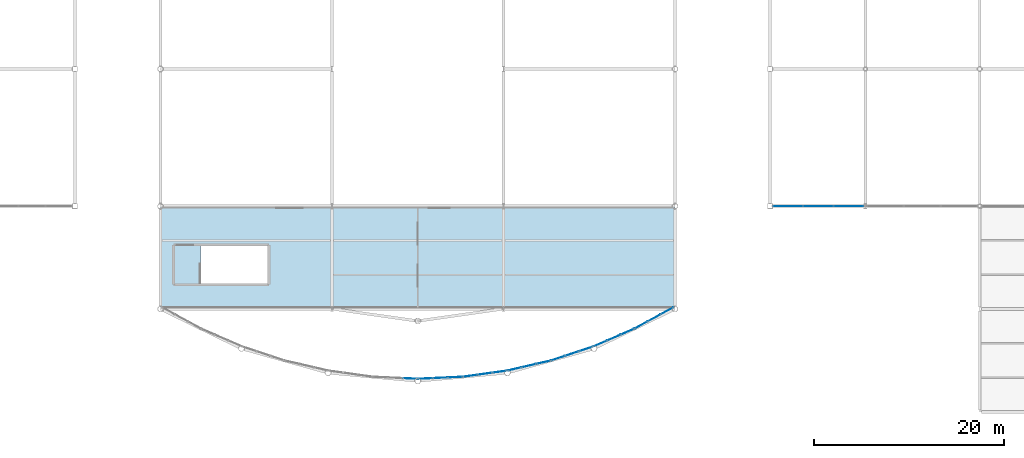
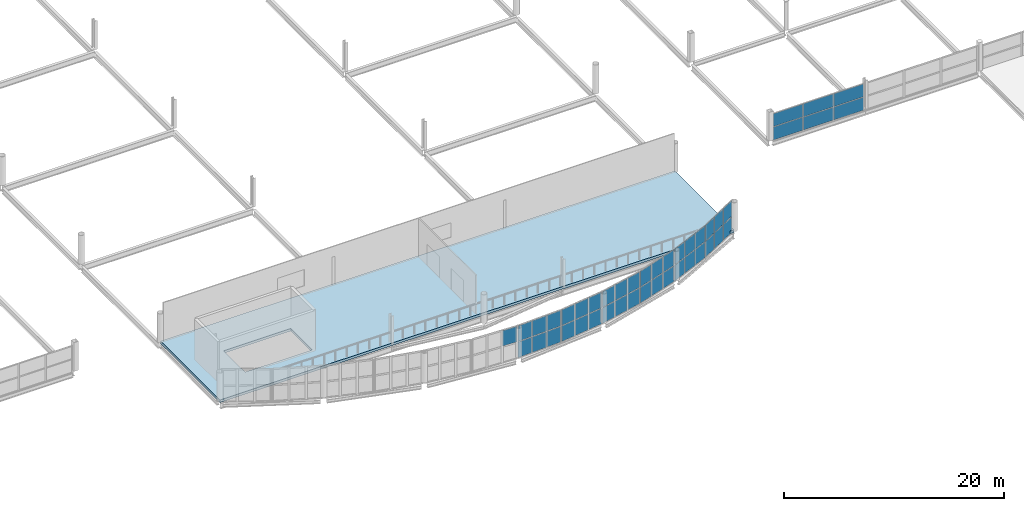
# One storey, part 113 of 134: 43 plates, 1 slab, 8 elements without a shape of their own.
"""IFC4 building model written with IfcOpenShell, lengths in metres."""

from ifc_helpers import new_model, si_unit, direction, frame, origin, origin_2d, place, context, subcontext, project, spatial, polyline, rectangle, outline, extrude, material, layer, layer_set, type_object, element, aggregate, save


model = new_model("IFC4")

# Units and contexts
model_context = context("Model", 3, precision=1e-05, world=origin(), true_north=direction((0.0, 1.0)))
body_context = subcontext(model_context, "Body", "Model", "MODEL_VIEW")
ifc_project = project(units=[si_unit("LENGTHUNIT", "METRE"), si_unit("AREAUNIT", "SQUARE_METRE"), si_unit("VOLUMEUNIT", "CUBIC_METRE"), si_unit("PLANEANGLEUNIT", "RADIAN"), si_unit("MASSUNIT", "GRAM", prefix="KILO")], contexts=[model_context])

# Site, building, storey
site_placement = place(None, origin())
site = spatial("IfcSite", under=ifc_project, at=site_placement, CompositionType="ELEMENT")
building_placement = place(site_placement, origin())
building = spatial("IfcBuilding", under=site, at=building_placement, Name="Tamarisk Ironworks Central Station", CompositionType="ELEMENT")
storey_placement = place(building_placement, frame((0.0, 0.0, 12.60009765625)))
storey = spatial("IfcBuildingStorey", under=building, at=storey_placement, Name="L02", CompositionType="ELEMENT", Elevation=12.60009765625)

# Curtain wall, plate
ifc_material_1 = material(Name="Anodized aluminium alloy 6063-T6", Category="aluminium")
ifc_layer_1 = layer(ifc_material_1, 0.179931640625)
ifc_layer_set_1 = layer_set([ifc_layer_1], Name="Anodized aluminium alloy 6063-T6")
curtain_wall_type_1 = type_object("IfcCurtainWallType", Name="CW-03", PredefinedType="USERDEFINED", material=ifc_layer_set_1)
curtain_wall_1_placement = place(storey_placement, origin())
curtain_wall_1 = element("IfcCurtainWall", 1, at=curtain_wall_1_placement, inside=storey, type_object=curtain_wall_type_1, Name="SN rounded entrance hall L02 curtain wall bay 06", ObjectType="GLAZED CURTAIN WALL", PredefinedType="USERDEFINED")
ifc_material_2 = material(Name="Laminated solar-control low-E glass", Category="glass")
ifc_layer_2 = layer(ifc_material_2, 0.028076171875)
ifc_layer_set_2 = layer_set([ifc_layer_2], Name="Laminated solar-control low-E glass")
plate_type = type_object("IfcPlateType", Name="PL-CWP28", PredefinedType="CURTAIN_PANEL", material=ifc_layer_set_2)
plate_1_placement = place(storey_placement, frame((80.197021484375, 3.49755859375, 1.47900390625), z_axis=(0.0, 0.0, 1.0), x_axis=(0.998965210312, -0.045480859558, 0.0)))
plate_1 = element("IfcPlate", 2, at=plate_1_placement, type_object=plate_type, Name="CW03 panel 3.2", PredefinedType="CURTAIN_PANEL", context=body_context, shape_type="SweptSolid", body=[
    extrude(rectangle(XDim=1.469482421875, YDim=0.028076171875, at=origin_2d()), origin(), (0.0, 0.0, 1.0), 1.73193359375),
])
aggregate(curtain_wall_1, [plate_1])

# Curtain wall, plates
curtain_wall_2_placement = place(storey_placement, origin())
curtain_wall_2 = element("IfcCurtainWall", 3, at=curtain_wall_2_placement, inside=storey, type_object=curtain_wall_type_1, Name="SN rounded entrance hall L02 curtain wall bay 07", ObjectType="GLAZED CURTAIN WALL", PredefinedType="USERDEFINED")
plate_2_placement = place(storey_placement, frame((81.802978515625, 3.49755859375, -0.316162109375), z_axis=(0.0, 0.0, 1.0), x_axis=(0.998965210312, 0.045480859558, 0.0)))
plate_2 = element("IfcPlate", 4, at=plate_2_placement, type_object=plate_type, Name="CW03 panel 1.1", PredefinedType="CURTAIN_PANEL", context=body_context, shape_type="SweptSolid", body=[
    extrude(rectangle(XDim=1.469482421875, YDim=0.028076171875, at=origin_2d()), origin(), (0.0, 0.0, 1.0), 1.73193359375),
])
plate_3_placement = place(storey_placement, frame((81.802978515625, 3.49755859375, 1.47900390625), z_axis=(0.0, 0.0, 1.0), x_axis=(0.998965210312, 0.045480859558, 0.0)))
plate_3 = element("IfcPlate", 5, at=plate_3_placement, type_object=plate_type, Name="CW03 panel 1.2", PredefinedType="CURTAIN_PANEL", context=body_context, shape_type="SweptSolid", body=[
    extrude(rectangle(XDim=1.469482421875, YDim=0.028076171875, at=origin_2d()), origin(), (0.0, 0.0, 1.0), 1.73193359375),
])
plate_4_placement = place(storey_placement, frame((83.352294921875, 3.568115234375, -0.316162109375), z_axis=(0.0, 0.0, 1.0), x_axis=(0.998965210312, 0.045480859558, 0.0)))
plate_4 = element("IfcPlate", 6, at=plate_4_placement, type_object=plate_type, Name="CW03 panel 2.1", PredefinedType="CURTAIN_PANEL", context=body_context, shape_type="SweptSolid", body=[
    extrude(rectangle(XDim=1.5068359375, YDim=0.028076171875, at=origin_2d()), origin(), (0.0, 0.0, 1.0), 1.73193359375),
])
plate_5_placement = place(storey_placement, frame((83.352294921875, 3.568115234375, 1.47900390625), z_axis=(0.0, 0.0, 1.0), x_axis=(0.998965210312, 0.045480859558, 0.0)))
plate_5 = element("IfcPlate", 7, at=plate_5_placement, type_object=plate_type, Name="CW03 panel 2.2", PredefinedType="CURTAIN_PANEL", context=body_context, shape_type="SweptSolid", body=[
    extrude(rectangle(XDim=1.5068359375, YDim=0.028076171875, at=origin_2d()), origin(), (0.0, 0.0, 1.0), 1.73193359375),
])
plate_6_placement = place(storey_placement, frame((84.90185546875, 3.638671875, -0.316162109375), z_axis=(0.0, 0.0, 1.0), x_axis=(0.998965210312, 0.045480859558, 0.0)))
plate_6 = element("IfcPlate", 8, at=plate_6_placement, type_object=plate_type, Name="CW03 panel 3.1", PredefinedType="CURTAIN_PANEL", context=body_context, shape_type="SweptSolid", body=[
    extrude(rectangle(XDim=1.469482421875, YDim=0.028076171875, at=origin_2d()), origin(), (0.0, 0.0, 1.0), 1.73193359375),
])
plate_7_placement = place(storey_placement, frame((84.90185546875, 3.638671875, 1.47900390625), z_axis=(0.0, 0.0, 1.0), x_axis=(0.998965210312, 0.045480859558, 0.0)))
plate_7 = element("IfcPlate", 9, at=plate_7_placement, type_object=plate_type, Name="CW03 panel 3.2", PredefinedType="CURTAIN_PANEL", context=body_context, shape_type="SweptSolid", body=[
    extrude(rectangle(XDim=1.469482421875, YDim=0.028076171875, at=origin_2d()), origin(), (0.0, 0.0, 1.0), 1.73193359375),
])
aggregate(curtain_wall_2, [plate_2, plate_3, plate_4, plate_5, plate_6, plate_7])

curtain_wall_3_placement = place(storey_placement, origin())
curtain_wall_3 = element("IfcCurtainWall", 10, at=curtain_wall_3_placement, inside=storey, type_object=curtain_wall_type_1, Name="SN rounded entrance hall L02 curtain wall bay 08", ObjectType="GLAZED CURTAIN WALL", PredefinedType="USERDEFINED")
plate_8_placement = place(storey_placement, frame((86.5009765625, 3.784423828125, -0.316162109375), z_axis=(0.0, 0.0, 1.0), x_axis=(0.990703108403, 0.136041725218, 0.0)))
plate_8 = element("IfcPlate", 11, at=plate_8_placement, type_object=plate_type, Name="CW03 panel 1.1", PredefinedType="CURTAIN_PANEL", context=body_context, shape_type="SweptSolid", body=[
    extrude(rectangle(XDim=1.469482421875, YDim=0.028076171875, at=origin_2d()), origin(), (0.0, 0.0, 1.0), 1.73193359375),
])
plate_9_placement = place(storey_placement, frame((86.5009765625, 3.784423828125, 1.47900390625), z_axis=(0.0, 0.0, 1.0), x_axis=(0.990703108403, 0.136041725218, 0.0)))
plate_9 = element("IfcPlate", 12, at=plate_9_placement, type_object=plate_type, Name="CW03 panel 1.2", PredefinedType="CURTAIN_PANEL", context=body_context, shape_type="SweptSolid", body=[
    extrude(rectangle(XDim=1.469482421875, YDim=0.028076171875, at=origin_2d()), origin(), (0.0, 0.0, 1.0), 1.73193359375),
])
plate_10_placement = place(storey_placement, frame((88.03759765625, 3.99560546875, -0.316162109375), z_axis=(0.0, 0.0, 1.0), x_axis=(0.990703108403, 0.136041725218, 0.0)))
plate_10 = element("IfcPlate", 13, at=plate_10_placement, type_object=plate_type, Name="CW03 panel 2.1", PredefinedType="CURTAIN_PANEL", context=body_context, shape_type="SweptSolid", body=[
    extrude(rectangle(XDim=1.5068359375, YDim=0.028076171875, at=origin_2d()), origin(), (0.0, 0.0, 1.0), 1.73193359375),
])
plate_11_placement = place(storey_placement, frame((88.03759765625, 3.99560546875, 1.47900390625), z_axis=(0.0, 0.0, 1.0), x_axis=(0.990703108403, 0.136041725218, 0.0)))
plate_11 = element("IfcPlate", 14, at=plate_11_placement, type_object=plate_type, Name="CW03 panel 2.2", PredefinedType="CURTAIN_PANEL", context=body_context, shape_type="SweptSolid", body=[
    extrude(rectangle(XDim=1.5068359375, YDim=0.028076171875, at=origin_2d()), origin(), (0.0, 0.0, 1.0), 1.73193359375),
])
plate_12_placement = place(storey_placement, frame((89.574462890625, 4.20654296875, -0.316162109375), z_axis=(0.0, 0.0, 1.0), x_axis=(0.990703108403, 0.136041725218, 0.0)))
plate_12 = element("IfcPlate", 15, at=plate_12_placement, type_object=plate_type, Name="CW03 panel 3.1", PredefinedType="CURTAIN_PANEL", context=body_context, shape_type="SweptSolid", body=[
    extrude(rectangle(XDim=1.469482421875, YDim=0.028076171875, at=origin_2d()), origin(), (0.0, 0.0, 1.0), 1.73193359375),
])
plate_13_placement = place(storey_placement, frame((89.574462890625, 4.20654296875, 1.47900390625), z_axis=(0.0, 0.0, 1.0), x_axis=(0.990703108403, 0.136041725218, 0.0)))
plate_13 = element("IfcPlate", 16, at=plate_13_placement, type_object=plate_type, Name="CW03 panel 3.2", PredefinedType="CURTAIN_PANEL", context=body_context, shape_type="SweptSolid", body=[
    extrude(rectangle(XDim=1.469482421875, YDim=0.028076171875, at=origin_2d()), origin(), (0.0, 0.0, 1.0), 1.73193359375),
])
aggregate(curtain_wall_3, [plate_8, plate_9, plate_10, plate_11, plate_12, plate_13])

curtain_wall_4_placement = place(storey_placement, origin())
curtain_wall_4 = element("IfcCurtainWall", 17, at=curtain_wall_4_placement, inside=storey, type_object=curtain_wall_type_1, Name="SN rounded entrance hall L02 curtain wall bay 09", ObjectType="GLAZED CURTAIN WALL", PredefinedType="USERDEFINED")
plate_14_placement = place(storey_placement, frame((91.153564453125, 4.4970703125, -0.316162109375), z_axis=(0.0, 0.0, 1.0), x_axis=(0.974239240545, 0.225516966506, 0.0)))
plate_14 = element("IfcPlate", 18, at=plate_14_placement, type_object=plate_type, Name="CW03 panel 1.1", PredefinedType="CURTAIN_PANEL", context=body_context, shape_type="SweptSolid", body=[
    extrude(rectangle(XDim=1.469482421875, YDim=0.028076171875, at=origin_2d()), origin(), (0.0, 0.0, 1.0), 1.73193359375),
])
plate_15_placement = place(storey_placement, frame((91.153564453125, 4.4970703125, 1.47900390625), z_axis=(0.0, 0.0, 1.0), x_axis=(0.974239240545, 0.225516966506, 0.0)))
plate_15 = element("IfcPlate", 19, at=plate_15_placement, type_object=plate_type, Name="CW03 panel 1.2", PredefinedType="CURTAIN_PANEL", context=body_context, shape_type="SweptSolid", body=[
    extrude(rectangle(XDim=1.469482421875, YDim=0.028076171875, at=origin_2d()), origin(), (0.0, 0.0, 1.0), 1.73193359375),
])
plate_16_placement = place(storey_placement, frame((92.664794921875, 4.846923828125, -0.316162109375), z_axis=(0.0, 0.0, 1.0), x_axis=(0.974239240545, 0.225516966506, 0.0)))
plate_16 = element("IfcPlate", 20, at=plate_16_placement, type_object=plate_type, Name="CW03 panel 2.1", PredefinedType="CURTAIN_PANEL", context=body_context, shape_type="SweptSolid", body=[
    extrude(rectangle(XDim=1.5068359375, YDim=0.028076171875, at=origin_2d()), origin(), (0.0, 0.0, 1.0), 1.73193359375),
])
plate_17_placement = place(storey_placement, frame((92.664794921875, 4.846923828125, 1.47900390625), z_axis=(0.0, 0.0, 1.0), x_axis=(0.974239240545, 0.225516966506, 0.0)))
plate_17 = element("IfcPlate", 21, at=plate_17_placement, type_object=plate_type, Name="CW03 panel 2.2", PredefinedType="CURTAIN_PANEL", context=body_context, shape_type="SweptSolid", body=[
    extrude(rectangle(XDim=1.5068359375, YDim=0.028076171875, at=origin_2d()), origin(), (0.0, 0.0, 1.0), 1.73193359375),
])
plate_18_placement = place(storey_placement, frame((94.176025390625, 5.19677734375, -0.316162109375), z_axis=(0.0, 0.0, 1.0), x_axis=(0.974239240545, 0.225516966506, 0.0)))
plate_18 = element("IfcPlate", 22, at=plate_18_placement, type_object=plate_type, Name="CW03 panel 3.1", PredefinedType="CURTAIN_PANEL", context=body_context, shape_type="SweptSolid", body=[
    extrude(rectangle(XDim=1.469482421875, YDim=0.028076171875, at=origin_2d()), origin(), (0.0, 0.0, 1.0), 1.73193359375),
])
plate_19_placement = place(storey_placement, frame((94.176025390625, 5.19677734375, 1.47900390625), z_axis=(0.0, 0.0, 1.0), x_axis=(0.974239240545, 0.225516966506, 0.0)))
plate_19 = element("IfcPlate", 23, at=plate_19_placement, type_object=plate_type, Name="CW03 panel 3.2", PredefinedType="CURTAIN_PANEL", context=body_context, shape_type="SweptSolid", body=[
    extrude(rectangle(XDim=1.469482421875, YDim=0.028076171875, at=origin_2d()), origin(), (0.0, 0.0, 1.0), 1.73193359375),
])
aggregate(curtain_wall_4, [plate_14, plate_15, plate_16, plate_17, plate_18, plate_19])

curtain_wall_5_placement = place(storey_placement, origin())
curtain_wall_5 = element("IfcCurtainWall", 24, at=curtain_wall_5_placement, inside=storey, type_object=curtain_wall_type_1, Name="SN rounded entrance hall L02 curtain wall bay 10", ObjectType="GLAZED CURTAIN WALL", PredefinedType="USERDEFINED")
plate_20_placement = place(storey_placement, frame((95.72216796875, 5.629638671875, -0.316162109375), z_axis=(0.0, 0.0, 1.0), x_axis=(0.949720671692, 0.313098460171, 0.0)))
plate_20 = element("IfcPlate", 25, at=plate_20_placement, type_object=plate_type, Name="CW03 panel 1.1", PredefinedType="CURTAIN_PANEL", context=body_context, shape_type="SweptSolid", body=[
    extrude(rectangle(XDim=1.469482421875, YDim=0.028076171875, at=origin_2d()), origin(), (0.0, 0.0, 1.0), 1.73193359375),
])
plate_21_placement = place(storey_placement, frame((95.72216796875, 5.629638671875, 1.47900390625), z_axis=(0.0, 0.0, 1.0), x_axis=(0.949720671692, 0.313098460171, 0.0)))
plate_21 = element("IfcPlate", 26, at=plate_21_placement, type_object=plate_type, Name="CW03 panel 1.2", PredefinedType="CURTAIN_PANEL", context=body_context, shape_type="SweptSolid", body=[
    extrude(rectangle(XDim=1.469482421875, YDim=0.028076171875, at=origin_2d()), origin(), (0.0, 0.0, 1.0), 1.73193359375),
])
plate_22_placement = place(storey_placement, frame((97.1953125, 6.115234375, -0.316162109375), z_axis=(0.0, 0.0, 1.0), x_axis=(0.949720671692, 0.313098460171, 0.0)))
plate_22 = element("IfcPlate", 27, at=plate_22_placement, type_object=plate_type, Name="CW03 panel 2.1", PredefinedType="CURTAIN_PANEL", context=body_context, shape_type="SweptSolid", body=[
    extrude(rectangle(XDim=1.5068359375, YDim=0.028076171875, at=origin_2d()), origin(), (0.0, 0.0, 1.0), 1.73193359375),
])
plate_23_placement = place(storey_placement, frame((97.1953125, 6.115234375, 1.47900390625), z_axis=(0.0, 0.0, 1.0), x_axis=(0.949720671692, 0.313098460171, 0.0)))
plate_23 = element("IfcPlate", 28, at=plate_23_placement, type_object=plate_type, Name="CW03 panel 2.2", PredefinedType="CURTAIN_PANEL", context=body_context, shape_type="SweptSolid", body=[
    extrude(rectangle(XDim=1.5068359375, YDim=0.028076171875, at=origin_2d()), origin(), (0.0, 0.0, 1.0), 1.73193359375),
])
plate_24_placement = place(storey_placement, frame((98.66845703125, 6.60107421875, -0.316162109375), z_axis=(0.0, 0.0, 1.0), x_axis=(0.949720671692, 0.313098460171, 0.0)))
plate_24 = element("IfcPlate", 29, at=plate_24_placement, type_object=plate_type, Name="CW03 panel 3.1", PredefinedType="CURTAIN_PANEL", context=body_context, shape_type="SweptSolid", body=[
    extrude(rectangle(XDim=1.469482421875, YDim=0.028076171875, at=origin_2d()), origin(), (0.0, 0.0, 1.0), 1.73193359375),
])
plate_25_placement = place(storey_placement, frame((98.66845703125, 6.60107421875, 1.47900390625), z_axis=(0.0, 0.0, 1.0), x_axis=(0.949720671692, 0.313098460171, 0.0)))
plate_25 = element("IfcPlate", 30, at=plate_25_placement, type_object=plate_type, Name="CW03 panel 3.2", PredefinedType="CURTAIN_PANEL", context=body_context, shape_type="SweptSolid", body=[
    extrude(rectangle(XDim=1.469482421875, YDim=0.028076171875, at=origin_2d()), origin(), (0.0, 0.0, 1.0), 1.73193359375),
])
aggregate(curtain_wall_5, [plate_20, plate_21, plate_22, plate_23, plate_24, plate_25])

curtain_wall_6_placement = place(storey_placement, origin())
curtain_wall_6 = element("IfcCurtainWall", 31, at=curtain_wall_6_placement, inside=storey, type_object=curtain_wall_type_1, Name="SN rounded entrance hall L02 curtain wall bay 11", ObjectType="GLAZED CURTAIN WALL", PredefinedType="USERDEFINED")
plate_26_placement = place(storey_placement, frame((100.1689453125, 7.172607421875, -0.316162109375), z_axis=(0.0, 0.0, 1.0), x_axis=(0.917352033503, 0.398076935564, 0.0)))
plate_26 = element("IfcPlate", 32, at=plate_26_placement, type_object=plate_type, Name="CW03 panel 1.1", PredefinedType="CURTAIN_PANEL", context=body_context, shape_type="SweptSolid", body=[
    extrude(rectangle(XDim=1.469482421875, YDim=0.028076171875, at=origin_2d()), origin(), (0.0, 0.0, 1.0), 1.73193359375),
])
plate_27_placement = place(storey_placement, frame((100.1689453125, 7.172607421875, 1.47900390625), z_axis=(0.0, 0.0, 1.0), x_axis=(0.917352033503, 0.398076935564, 0.0)))
plate_27 = element("IfcPlate", 33, at=plate_27_placement, type_object=plate_type, Name="CW03 panel 1.2", PredefinedType="CURTAIN_PANEL", context=body_context, shape_type="SweptSolid", body=[
    extrude(rectangle(XDim=1.469482421875, YDim=0.028076171875, at=origin_2d()), origin(), (0.0, 0.0, 1.0), 1.73193359375),
])
plate_28_placement = place(storey_placement, frame((101.592041015625, 7.7900390625, -0.316162109375), z_axis=(0.0, 0.0, 1.0), x_axis=(0.917352033503, 0.398076935564, 0.0)))
plate_28 = element("IfcPlate", 34, at=plate_28_placement, type_object=plate_type, Name="CW03 panel 2.1", PredefinedType="CURTAIN_PANEL", context=body_context, shape_type="SweptSolid", body=[
    extrude(rectangle(XDim=1.5068359375, YDim=0.028076171875, at=origin_2d()), origin(), (0.0, 0.0, 1.0), 1.73193359375),
])
plate_29_placement = place(storey_placement, frame((101.592041015625, 7.7900390625, 1.47900390625), z_axis=(0.0, 0.0, 1.0), x_axis=(0.917352033503, 0.398076935564, 0.0)))
plate_29 = element("IfcPlate", 35, at=plate_29_placement, type_object=plate_type, Name="CW03 panel 2.2", PredefinedType="CURTAIN_PANEL", context=body_context, shape_type="SweptSolid", body=[
    extrude(rectangle(XDim=1.5068359375, YDim=0.028076171875, at=origin_2d()), origin(), (0.0, 0.0, 1.0), 1.73193359375),
])
plate_30_placement = place(storey_placement, frame((103.014892578125, 8.407470703125, -0.316162109375), z_axis=(0.0, 0.0, 1.0), x_axis=(0.917352033503, 0.398076935564, 0.0)))
plate_30 = element("IfcPlate", 36, at=plate_30_placement, type_object=plate_type, Name="CW03 panel 3.1", PredefinedType="CURTAIN_PANEL", context=body_context, shape_type="SweptSolid", body=[
    extrude(rectangle(XDim=1.469482421875, YDim=0.028076171875, at=origin_2d()), origin(), (0.0, 0.0, 1.0), 1.73193359375),
])
plate_31_placement = place(storey_placement, frame((103.014892578125, 8.407470703125, 1.47900390625), z_axis=(0.0, 0.0, 1.0), x_axis=(0.917352033503, 0.398076935564, 0.0)))
plate_31 = element("IfcPlate", 37, at=plate_31_placement, type_object=plate_type, Name="CW03 panel 3.2", PredefinedType="CURTAIN_PANEL", context=body_context, shape_type="SweptSolid", body=[
    extrude(rectangle(XDim=1.469482421875, YDim=0.028076171875, at=origin_2d()), origin(), (0.0, 0.0, 1.0), 1.73193359375),
])
aggregate(curtain_wall_6, [plate_26, plate_27, plate_28, plate_29, plate_30, plate_31])

curtain_wall_7_placement = place(storey_placement, origin())
curtain_wall_7 = element("IfcCurtainWall", 38, at=curtain_wall_7_placement, inside=storey, type_object=curtain_wall_type_1, Name="SN rounded entrance hall L02 curtain wall bay 12", ObjectType="GLAZED CURTAIN WALL", PredefinedType="USERDEFINED")
plate_32_placement = place(storey_placement, frame((104.457275390625, 9.113037109375, -0.316162109375), z_axis=(0.0, 0.0, 1.0), x_axis=(0.877374910495, 0.47980544644, 0.0)))
plate_32 = element("IfcPlate", 39, at=plate_32_placement, type_object=plate_type, Name="CW03 panel 1.1", PredefinedType="CURTAIN_PANEL", context=body_context, shape_type="SweptSolid", body=[
    extrude(rectangle(XDim=1.469482421875, YDim=0.028076171875, at=origin_2d()), origin(), (0.0, 0.0, 1.0), 1.73193359375),
])
plate_33_placement = place(storey_placement, frame((104.457275390625, 9.113037109375, 1.47900390625), z_axis=(0.0, 0.0, 1.0), x_axis=(0.877374910495, 0.47980544644, 0.0)))
plate_33 = element("IfcPlate", 40, at=plate_33_placement, type_object=plate_type, Name="CW03 panel 1.2", PredefinedType="CURTAIN_PANEL", context=body_context, shape_type="SweptSolid", body=[
    extrude(rectangle(XDim=1.469482421875, YDim=0.028076171875, at=origin_2d()), origin(), (0.0, 0.0, 1.0), 1.73193359375),
])
plate_34_placement = place(storey_placement, frame((105.818359375, 9.857177734375, -0.316162109375), z_axis=(0.0, 0.0, 1.0), x_axis=(0.877374910495, 0.47980544644, 0.0)))
plate_34 = element("IfcPlate", 41, at=plate_34_placement, type_object=plate_type, Name="CW03 panel 2.1", PredefinedType="CURTAIN_PANEL", context=body_context, shape_type="SweptSolid", body=[
    extrude(rectangle(XDim=1.5068359375, YDim=0.028076171875, at=origin_2d()), origin(), (0.0, 0.0, 1.0), 1.73193359375),
])
plate_35_placement = place(storey_placement, frame((105.818359375, 9.857177734375, 1.47900390625), z_axis=(0.0, 0.0, 1.0), x_axis=(0.877374910495, 0.47980544644, 0.0)))
plate_35 = element("IfcPlate", 42, at=plate_35_placement, type_object=plate_type, Name="CW03 panel 2.2", PredefinedType="CURTAIN_PANEL", context=body_context, shape_type="SweptSolid", body=[
    extrude(rectangle(XDim=1.5068359375, YDim=0.028076171875, at=origin_2d()), origin(), (0.0, 0.0, 1.0), 1.73193359375),
])
plate_36_placement = place(storey_placement, frame((107.17919921875, 10.6015625, -0.316162109375), z_axis=(0.0, 0.0, 1.0), x_axis=(0.877374910495, 0.47980544644, 0.0)))
plate_36 = element("IfcPlate", 43, at=plate_36_placement, type_object=plate_type, Name="CW03 panel 3.1", PredefinedType="CURTAIN_PANEL", context=body_context, shape_type="SweptSolid", body=[
    extrude(rectangle(XDim=1.469482421875, YDim=0.028076171875, at=origin_2d()), origin(), (0.0, 0.0, 1.0), 1.73193359375),
])
plate_37_placement = place(storey_placement, frame((107.17919921875, 10.6015625, 1.47900390625), z_axis=(0.0, 0.0, 1.0), x_axis=(0.877374910495, 0.47980544644, 0.0)))
plate_37 = element("IfcPlate", 44, at=plate_37_placement, type_object=plate_type, Name="CW03 panel 3.2", PredefinedType="CURTAIN_PANEL", context=body_context, shape_type="SweptSolid", body=[
    extrude(rectangle(XDim=1.469482421875, YDim=0.028076171875, at=origin_2d()), origin(), (0.0, 0.0, 1.0), 1.73193359375),
])
aggregate(curtain_wall_7, [plate_32, plate_33, plate_34, plate_35, plate_36, plate_37])

ifc_layer_3 = layer(ifc_material_1, 0.179931640625)
ifc_layer_set_3 = layer_set([ifc_layer_3], Name="Anodized aluminium alloy 6063-T6")
curtain_wall_type_2 = type_object("IfcCurtainWallType", Name="CW-07", PredefinedType="USERDEFINED", material=ifc_layer_set_3)
curtain_wall_8_placement = place(storey_placement, origin())
curtain_wall_8 = element("IfcCurtainWall", 45, at=curtain_wall_8_placement, inside=storey, type_object=curtain_wall_type_2, Name="Train shed ES clerestory curtain wall 118", ObjectType="GLAZED CURTAIN WALL", PredefinedType="USERDEFINED")
plate_38_placement = place(storey_placement, frame((119.864990234375, 21.60009765625, -0.201171875), z_axis=(0.0, 0.0, 1.0), x_axis=(1.0, 0.0, 0.0)))
plate_38 = element("IfcPlate", 46, at=plate_38_placement, type_object=plate_type, Name="CW07 panel 1.1", PredefinedType="CURTAIN_PANEL", context=body_context, shape_type="SweptSolid", body=[
    extrude(rectangle(XDim=3.11572265625, YDim=0.028076171875, at=origin_2d()), origin(), (0.0, 0.0, 1.0), 1.4345703125),
])
plate_39_placement = place(storey_placement, frame((119.864990234375, 21.60009765625, 1.286376953125), z_axis=(0.0, 0.0, 1.0), x_axis=(1.0, 0.0, 0.0)))
plate_39 = element("IfcPlate", 47, at=plate_39_placement, type_object=plate_type, Name="CW07 panel 1.2", PredefinedType="CURTAIN_PANEL", context=body_context, shape_type="SweptSolid", body=[
    extrude(rectangle(XDim=3.11572265625, YDim=0.028076171875, at=origin_2d()), origin(), (0.0, 0.0, 1.0), 1.4345703125),
])
plate_40_placement = place(storey_placement, frame((123.050048828125, 21.60009765625, -0.201171875), z_axis=(0.0, 0.0, 1.0), x_axis=(1.0, 0.0, 0.0)))
plate_40 = element("IfcPlate", 48, at=plate_40_placement, type_object=plate_type, Name="CW07 panel 2.1", PredefinedType="CURTAIN_PANEL", context=body_context, shape_type="SweptSolid", body=[
    extrude(rectangle(XDim=3.1484375, YDim=0.028076171875, at=origin_2d()), origin(), (0.0, 0.0, 1.0), 1.4345703125),
])
plate_41_placement = place(storey_placement, frame((123.050048828125, 21.60009765625, 1.286376953125), z_axis=(0.0, 0.0, 1.0), x_axis=(1.0, 0.0, 0.0)))
plate_41 = element("IfcPlate", 49, at=plate_41_placement, type_object=plate_type, Name="CW07 panel 2.2", PredefinedType="CURTAIN_PANEL", context=body_context, shape_type="SweptSolid", body=[
    extrude(rectangle(XDim=3.1484375, YDim=0.028076171875, at=origin_2d()), origin(), (0.0, 0.0, 1.0), 1.4345703125),
])
plate_42_placement = place(storey_placement, frame((126.235107421875, 21.60009765625, -0.201171875), z_axis=(0.0, 0.0, 1.0), x_axis=(1.0, 0.0, 0.0)))
plate_42 = element("IfcPlate", 50, at=plate_42_placement, type_object=plate_type, Name="CW07 panel 3.1", PredefinedType="CURTAIN_PANEL", context=body_context, shape_type="SweptSolid", body=[
    extrude(rectangle(XDim=3.11572265625, YDim=0.028076171875, at=origin_2d()), origin(), (0.0, 0.0, 1.0), 1.4345703125),
])
plate_43_placement = place(storey_placement, frame((126.235107421875, 21.60009765625, 1.286376953125), z_axis=(0.0, 0.0, 1.0), x_axis=(1.0, 0.0, 0.0)))
plate_43 = element("IfcPlate", 51, at=plate_43_placement, type_object=plate_type, Name="CW07 panel 3.2", PredefinedType="CURTAIN_PANEL", context=body_context, shape_type="SweptSolid", body=[
    extrude(rectangle(XDim=3.11572265625, YDim=0.028076171875, at=origin_2d()), origin(), (0.0, 0.0, 1.0), 1.4345703125),
])
aggregate(curtain_wall_8, [plate_38, plate_39, plate_40, plate_41, plate_42, plate_43])

# Slab
ifc_material_3 = material(Name="Concrete C35/45", Category="concrete")
ifc_layer_4 = layer(ifc_material_3, 0.280029296875)
ifc_layer_set_4 = layer_set([ifc_layer_4], Name="Concrete C35/45")
slab_type = type_object("IfcSlabType", Name="SL-MZ280", PredefinedType="FLOOR", material=ifc_layer_set_4)
slab_placement = place(storey_placement, frame((0.0, 0.0, -0.280029296875)))
element("IfcSlab", 52, at=slab_placement, inside=storey, type_object=slab_type, Name="L02 Mezzanine and Upper Floor Slab V2-BELV", PredefinedType="FLOOR", context=body_context, shape_type="SweptSolid", body=[
    extrude(outline(polyline([(54.0, 10.800048828125), (108.0, 10.800048828125), (108.0, 21.60009765625), (54.0, 21.60009765625), (54.0, 10.800048828125)]), holes=[polyline([(58.199951171875, 13.5), (65.25, 13.5), (65.25, 17.39990234375), (58.199951171875, 17.39990234375), (58.199951171875, 13.5)])]), origin(), (0.0, 0.0, 1.0), 0.280029296875),
])

save(model, "model.ifc")
